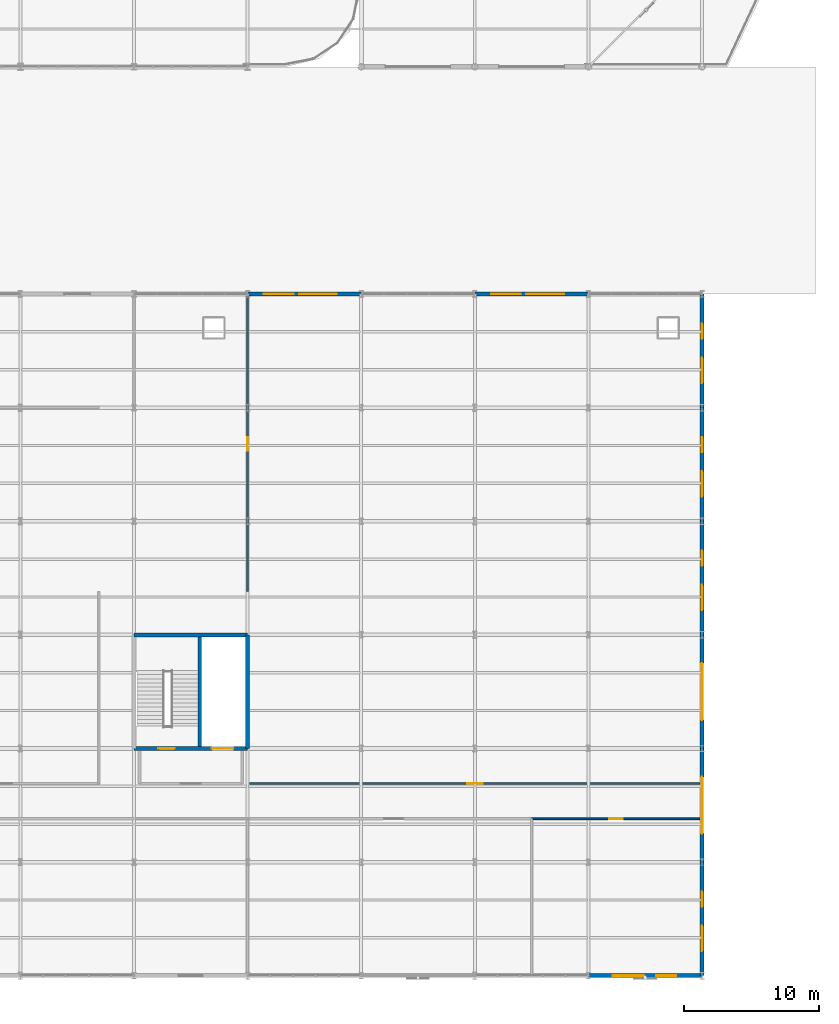
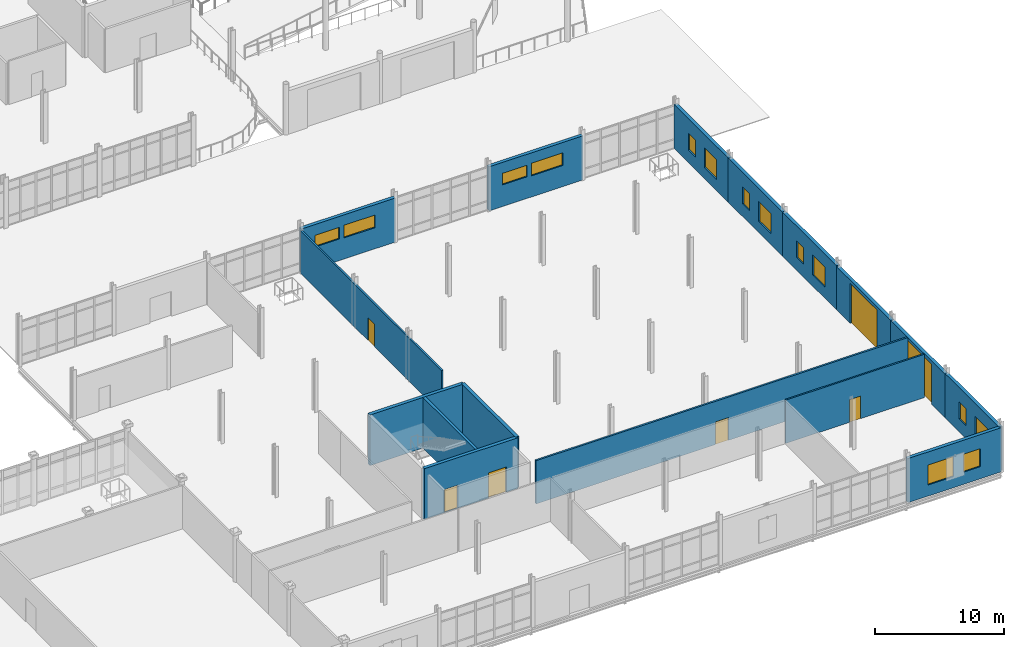
# One storey, part 129 of 145: 16 walls, 14 windows, 7 doors, 21 openings.
"""IFC4 building model written with IfcOpenShell, lengths in metres."""

from ifc_helpers import new_model, si_unit, direction, frame, frame_2d, origin, place, context, subcontext, project, spatial, rectangle, extrude, material, layer, layer_set, type_object, element, fill, save


model = new_model("IFC4")

# Units and contexts
model_context = context("Model", 3, precision=1e-05, world=origin(), true_north=direction((0.0, 1.0)))
body_context = subcontext(model_context, "Body", "Model", "MODEL_VIEW")
ifc_project = project(units=[si_unit("LENGTHUNIT", "METRE"), si_unit("AREAUNIT", "SQUARE_METRE"), si_unit("VOLUMEUNIT", "CUBIC_METRE"), si_unit("PLANEANGLEUNIT", "RADIAN"), si_unit("MASSUNIT", "GRAM", prefix="KILO")], contexts=[model_context])

# Site, building, storey
site_placement = place(None, origin())
site = spatial("IfcSite", under=ifc_project, at=site_placement, CompositionType="ELEMENT")
building_placement = place(site_placement, origin())
building = spatial("IfcBuilding", under=site, at=building_placement, Name="Qalvenar Corner Mobility Hub", CompositionType="ELEMENT")
storey_placement = place(building_placement, origin())
storey = spatial("IfcBuildingStorey", under=building, at=storey_placement, Name="L00", CompositionType="ELEMENT", Elevation=0.0)

# Wall
ifc_material_1 = material(Name="Concrete C40/50", Category="concrete")
ifc_layer_1 = layer(ifc_material_1, 0.25)
ifc_layer_set_1 = layer_set([ifc_layer_1], Name="Concrete C40/50")
wall_type_1 = type_object("IfcWallType", Name="WL-CORE250", PredefinedType="SHEAR", material=ifc_layer_set_1)
wall_1_placement = place(storey_placement, frame((130.85009765625, 16.949951171875, 0.0), z_axis=(0.0, 0.0, 1.0), x_axis=(0.0, 1.0, 0.0)))
element("IfcWall", 1, at=wall_1_placement, inside=storey, type_object=wall_type_1, Name="Core Divider Wall C6-L00", PredefinedType="SHEAR", context=body_context, shape_type="SweptSolid", body=[
    extrude(rectangle(XDim=8.10009765625, YDim=0.25, at=frame_2d((4.050048828125, 0.0))), origin(), (0.0, 0.0, 1.0), 4.800048828125),
])

# Wall, openings, doors
ifc_layer_2 = layer(ifc_material_1, 0.300048828125)
ifc_layer_set_2 = layer_set([ifc_layer_2], Name="Concrete C40/50")
wall_type_2 = type_object("IfcWallType", Name="WL-CORE300", PredefinedType="SHEAR", material=ifc_layer_set_2)
wall_2_placement = place(storey_placement, frame((126.0, 16.800048828125, 0.0), z_axis=(0.0, 0.0, 1.0), x_axis=(1.0, 0.0, 0.0)))
wall_2 = element("IfcWall", 2, at=wall_2_placement, inside=storey, type_object=wall_type_2, Name="Core Shear Wall C6-L00-S", PredefinedType="SHEAR", context=body_context, shape_type="SweptSolid", body=[
    extrude(rectangle(XDim=8.39990234375, YDim=0.300048828125, at=frame_2d((4.199951171875, 0.0))), origin(), (0.0, 0.0, 1.0), 4.800048828125),
])
opening_1_placement = place(wall_2_placement, frame((1.800048828125, 0.0, 0.0)))
opening_1 = element("IfcOpeningElement", 3, at=opening_1_placement, cuts=wall_2, Name="Opening DR-084", PredefinedType="OPENING", context=body_context, shape_type="SweptSolid", body=[
    extrude(rectangle(XDim=1.199951171875, YDim=2.199951171875, at=frame_2d((0.60009765625, 1.10009765625))), frame((0.0, 0.16015625, 0.0), z_axis=(0.0, -1.0, 0.0), x_axis=(1.0, 0.0, 0.0)), (0.0, 0.0, 1.0), 0.320068359375),
])
opening_2_placement = place(wall_2_placement, frame((5.75, 0.0, 0.0)))
opening_2 = element("IfcOpeningElement", 4, at=opening_2_placement, cuts=wall_2, Name="Opening DR-085", PredefinedType="OPENING", context=body_context, shape_type="SweptSolid", body=[
    extrude(rectangle(XDim=1.60009765625, YDim=2.39990234375, at=frame_2d((0.800048828125, 1.199951171875))), frame((0.0, 0.16015625, 0.0), z_axis=(0.0, -1.0, 0.0), x_axis=(1.0, 0.0, 0.0)), (0.0, 0.0, 1.0), 0.320068359375),
])
ifc_material_2 = material(Name="Stainless Steel Goods Lift Landing Door", Category="steel")
door_type_1 = type_object("IfcDoorType", Name="DR-LIFT-160", OperationType="SLIDING_TO_LEFT", PredefinedType="DOOR", material=ifc_material_2)
door_1_placement = place(opening_2_placement, origin())
door_1 = element("IfcDoor", 5, at=door_1_placement, inside=storey, type_object=door_type_1, Name="DR-085 Lift Landing Door LG2-L00", OperationType="SLIDING_TO_LEFT", OverallHeight=2.39990234375, OverallWidth=1.60009765625, PredefinedType="DOOR", context=body_context, shape_type="SweptSolid", body=[
    extrude(rectangle(XDim=1.60009765625, YDim=2.39990234375, at=frame_2d((0.800048828125, 1.199951171875))), frame((0.0, 0.02490234375, 0.0), z_axis=(0.0, -1.0, 0.0), x_axis=(1.0, 0.0, 0.0)), (0.0, 0.0, 1.0), 0.050048828125),
])
fill(opening_2, door_1)
ifc_material_3 = material(Name="Fire-Rated Steel Stair Door FD90", Category="steel")
door_type_2 = type_object("IfcDoorType", Name="DR-STAIR-120", OperationType="NOTDEFINED", PredefinedType="DOOR", material=ifc_material_3)
door_2_placement = place(opening_1_placement, origin())
door_2 = element("IfcDoor", 6, at=door_2_placement, inside=storey, type_object=door_type_2, Name="DR-084 Stair Fire Door ST6-L00", OperationType="SINGLE_SWING_RIGHT", OverallHeight=2.199951171875, OverallWidth=1.199951171875, PredefinedType="DOOR", context=body_context, shape_type="SweptSolid", body=[
    extrude(rectangle(XDim=1.199951171875, YDim=2.199951171875, at=frame_2d((0.60009765625, 1.10009765625))), frame((0.0, 0.02490234375, 0.0), z_axis=(0.0, -1.0, 0.0), x_axis=(1.0, 0.0, 0.0)), (0.0, 0.0, 1.0), 0.050048828125),
])
fill(opening_1, door_2)

# Walls
for number, where, z_axis, x_axis, name in (
    (7, (134.39990234375, 16.800048828125, 0.0), (0.0, 0.0, 1.0), (0.0, 1.0, 0.0), "Core Shear Wall C6-L00-E"),
    (8, (134.39990234375, 25.199951171875, 0.0), (0.0, 0.0, 1.0), (-1.0, 0.0, 0.0), "Core Shear Wall C6-L00-N"),
):
    element("IfcWall", number, at=place(storey_placement, frame(where, z_axis=z_axis, x_axis=x_axis)), inside=storey, type_object=wall_type_2, Name=name, PredefinedType="SHEAR", context=body_context, shape_type="SweptSolid", body=[
        extrude(rectangle(XDim=8.39990234375, YDim=0.300048828125, at=frame_2d((4.199951171875, 0.0))), origin(), (0.0, 0.0, 1.0), 4.800048828125),
    ])

# Wall, openings, windows
ifc_material_4 = material(Name="Lahori Fired Clay Brick Masonry", Category="masonry")
ifc_layer_3 = layer(ifc_material_4, 0.300048828125)
ifc_layer_set_3 = layer_set([ifc_layer_3], Name="Lahori Fired Clay Brick Masonry")
wall_type_3 = type_object("IfcWallType", Name="WL-EXT-BRK300", PredefinedType="STANDARD", material=ifc_layer_set_3)
wall_3_placement = place(storey_placement, frame((159.60009765625, 0.0, 0.0), z_axis=(0.0, 0.0, 1.0), x_axis=(1.0, 0.0, 0.0)))
wall_3 = element("IfcWall", 9, at=wall_3_placement, inside=storey, type_object=wall_type_3, Name="Exterior Facade Wall EW-V6-L00-S6", PredefinedType="STANDARD", context=body_context, shape_type="SweptSolid", body=[
    extrude(rectangle(XDim=8.39990234375, YDim=0.300048828125, at=frame_2d((4.199951171875, 0.0))), origin(), (0.0, 0.0, 1.0), 4.179931640625),
])
opening_3_placement = place(wall_3_placement, frame((1.800048828125, 0.0, 1.050048828125)))
opening_3 = element("IfcOpeningElement", 10, at=opening_3_placement, cuts=wall_3, Name="Opening W-16", PredefinedType="OPENING", context=body_context, shape_type="SweptSolid", body=[
    extrude(rectangle(XDim=2.300048828125, YDim=1.89990234375, at=frame_2d((1.14990234375, 0.949951171875))), frame((0.0, 0.16015625, 0.0), z_axis=(0.0, -1.0, 0.0), x_axis=(1.0, 0.0, 0.0)), (0.0, 0.0, 1.0), 0.320068359375),
])
opening_4_placement = place(wall_3_placement, frame((5.0, 0.0, 1.14990234375)))
opening_4 = element("IfcOpeningElement", 11, at=opening_4_placement, cuts=wall_3, Name="Opening W-18", PredefinedType="OPENING", context=body_context, shape_type="SweptSolid", body=[
    extrude(rectangle(XDim=1.5, YDim=1.699951171875, at=frame_2d((0.75, 0.85009765625))), frame((0.0, 0.16015625, 0.0), z_axis=(0.0, -1.0, 0.0), x_axis=(1.0, 0.0, 0.0)), (0.0, 0.0, 1.0), 0.320068359375),
])
ifc_material_5 = material(Name="Solar-Control Double-Glazed Bronze Window", Category="glass")
window_type_1 = type_object("IfcWindowType", Name="WN-WKS-150X170", PartitioningType="DOUBLE_PANEL_VERTICAL", PredefinedType="WINDOW", material=ifc_material_5)
window_1_placement = place(opening_4_placement, origin())
window_1 = element("IfcWindow", 12, at=window_1_placement, inside=storey, type_object=window_type_1, Name="Facade Window EW-V6-L00-S6-W2", OverallHeight=1.699951171875, OverallWidth=1.5, PartitioningType="SINGLE_PANEL", PredefinedType="WINDOW", context=body_context, shape_type="SweptSolid", body=[
    extrude(rectangle(XDim=1.5, YDim=1.699951171875, at=frame_2d((0.75, 0.85009765625))), frame((0.0, 0.030029296875, 0.0), z_axis=(0.0, -1.0, 0.0), x_axis=(1.0, 0.0, 0.0)), (0.0, 0.0, 1.0), 0.06005859375),
])
fill(opening_4, window_1)
window_type_2 = type_object("IfcWindowType", Name="WN-WKS-230X190", PartitioningType="DOUBLE_PANEL_HORIZONTAL", PredefinedType="WINDOW", material=ifc_material_5)
window_2_placement = place(opening_3_placement, origin())
window_2 = element("IfcWindow", 13, at=window_2_placement, inside=storey, type_object=window_type_2, Name="Facade Window EW-V6-L00-S6-W1", OverallHeight=1.89990234375, OverallWidth=2.300048828125, PartitioningType="SINGLE_PANEL", PredefinedType="WINDOW", context=body_context, shape_type="SweptSolid", body=[
    extrude(rectangle(XDim=2.300048828125, YDim=1.89990234375, at=frame_2d((1.14990234375, 0.949951171875))), frame((0.0, 0.030029296875, 0.0), z_axis=(0.0, -1.0, 0.0), x_axis=(1.0, 0.0, 0.0)), (0.0, 0.0, 1.0), 0.06005859375),
])
fill(opening_3, window_2)

wall_4_placement = place(storey_placement, frame((168.0, 0.0, 0.0), z_axis=(0.0, 0.0, 1.0), x_axis=(0.0, 1.0, 0.0)))
wall_4 = element("IfcWall", 14, at=wall_4_placement, inside=storey, type_object=wall_type_3, Name="Exterior Facade Wall EW-V6-L00-E0", PredefinedType="STANDARD", context=body_context, shape_type="SweptSolid", body=[
    extrude(rectangle(XDim=8.39990234375, YDim=0.300048828125, at=frame_2d((4.199951171875, 0.0))), origin(), (0.0, 0.0, 1.0), 4.179931640625),
])
opening_5_placement = place(wall_4_placement, frame((1.800048828125, 0.0, 1.050048828125)))
opening_5 = element("IfcOpeningElement", 15, at=opening_5_placement, cuts=wall_4, Name="Opening W-17", PredefinedType="OPENING", context=body_context, shape_type="SweptSolid", body=[
    extrude(rectangle(XDim=1.89990234375, YDim=1.89990234375, at=frame_2d((0.949951171875, 0.949951171875))), frame((0.0, 0.16015625, 0.0), z_axis=(0.0, -1.0, 0.0), x_axis=(1.0, 0.0, 0.0)), (0.0, 0.0, 1.0), 0.320068359375),
])
opening_6_placement = place(wall_4_placement, frame((5.10009765625, 0.0, 1.199951171875)))
opening_6 = element("IfcOpeningElement", 16, at=opening_6_placement, cuts=wall_4, Name="Opening W-19", PredefinedType="OPENING", context=body_context, shape_type="SweptSolid", body=[
    extrude(rectangle(XDim=1.10009765625, YDim=1.60009765625, at=frame_2d((0.550048828125, 0.800048828125))), frame((0.0, 0.16015625, 0.0), z_axis=(0.0, -1.0, 0.0), x_axis=(1.0, 0.0, 0.0)), (0.0, 0.0, 1.0), 0.320068359375),
])
window_type_3 = type_object("IfcWindowType", Name="WN-WKS-110X160", PartitioningType="SINGLE_PANEL", PredefinedType="WINDOW", material=ifc_material_5)
window_3_placement = place(opening_6_placement, origin())
window_3 = element("IfcWindow", 17, at=window_3_placement, inside=storey, type_object=window_type_3, Name="Facade Window EW-V6-L00-E0-W2", OverallHeight=1.60009765625, OverallWidth=1.10009765625, PartitioningType="SINGLE_PANEL", PredefinedType="WINDOW", context=body_context, shape_type="SweptSolid", body=[
    extrude(rectangle(XDim=1.10009765625, YDim=1.60009765625, at=frame_2d((0.550048828125, 0.800048828125))), frame((0.0, 0.030029296875, 0.0), z_axis=(0.0, -1.0, 0.0), x_axis=(1.0, 0.0, 0.0)), (0.0, 0.0, 1.0), 0.06005859375),
])
fill(opening_6, window_3)
window_type_4 = type_object("IfcWindowType", Name="WN-WKS-190X190", PartitioningType="DOUBLE_PANEL_VERTICAL", PredefinedType="WINDOW", material=ifc_material_5)
window_4_placement = place(opening_5_placement, origin())
window_4 = element("IfcWindow", 18, at=window_4_placement, inside=storey, type_object=window_type_4, Name="Facade Window EW-V6-L00-E0-W1", OverallHeight=1.89990234375, OverallWidth=1.89990234375, PartitioningType="SINGLE_PANEL", PredefinedType="WINDOW", context=body_context, shape_type="SweptSolid", body=[
    extrude(rectangle(XDim=1.89990234375, YDim=1.89990234375, at=frame_2d((0.949951171875, 0.949951171875))), frame((0.0, 0.030029296875, 0.0), z_axis=(0.0, -1.0, 0.0), x_axis=(1.0, 0.0, 0.0)), (0.0, 0.0, 1.0), 0.06005859375),
])
fill(opening_5, window_4)

# Wall, opening, door
wall_5_placement = place(storey_placement, frame((168.0, 8.39990234375, 0.0), z_axis=(0.0, 0.0, 1.0), x_axis=(0.0, 1.0, 0.0)))
wall_5 = element("IfcWall", 19, at=wall_5_placement, inside=storey, type_object=wall_type_3, Name="Exterior Facade Wall EW-V6-L00-E1", PredefinedType="STANDARD", context=body_context, shape_type="SweptSolid", body=[
    extrude(rectangle(XDim=8.400146484375, YDim=0.300048828125, at=frame_2d((4.2001953125, 0.0))), origin(), (0.0, 0.0, 1.0), 4.10009765625),
])
opening_7_placement = place(wall_5_placement, frame((2.10009765625, 0.0, 0.0)))
opening_7 = element("IfcOpeningElement", 20, at=opening_7_placement, cuts=wall_5, Name="Opening DR-062", PredefinedType="OPENING", context=body_context, shape_type="SweptSolid", body=[
    extrude(rectangle(XDim=4.199951171875, YDim=3.800048828125, at=frame_2d((2.10009765625, 1.89990234375))), frame((0.0, 0.16015625, 0.0), z_axis=(0.0, -1.0, 0.0), x_axis=(1.0, 0.0, 0.0)), (0.0, 0.0, 1.0), 0.320068359375),
])
ifc_material_6 = material(Name="Insulated Steel EV Workshop Roller Gate", Category="steel")
door_type_3 = type_object("IfcDoorType", Name="GT-WKS-420", OperationType="ROLLINGUP", PredefinedType="GATE", material=ifc_material_6)
door_3_placement = place(opening_7_placement, origin())
door_3 = element("IfcDoor", 21, at=door_3_placement, inside=storey, type_object=door_type_3, Name="DR-062 EV Workshop Roller Bay Gate VG2-1", OperationType="ROLLINGUP", OverallHeight=3.800048828125, OverallWidth=4.199951171875, PredefinedType="GATE", context=body_context, shape_type="SweptSolid", body=[
    extrude(rectangle(XDim=4.199951171875, YDim=3.800048828125, at=frame_2d((2.10009765625, 1.89990234375))), frame((0.0, 0.02490234375, 0.0), z_axis=(0.0, -1.0, 0.0), x_axis=(1.0, 0.0, 0.0)), (0.0, 0.0, 1.0), 0.050048828125),
])
fill(opening_7, door_3)

wall_6_placement = place(storey_placement, frame((168.0, 16.800048828125, 0.0), z_axis=(0.0, 0.0, 1.0), x_axis=(0.0, 1.0, 0.0)))
wall_6 = element("IfcWall", 22, at=wall_6_placement, inside=storey, type_object=wall_type_3, Name="Exterior Facade Wall EW-V6-L00-E2", PredefinedType="STANDARD", context=body_context, shape_type="SweptSolid", body=[
    extrude(rectangle(XDim=8.39990234375, YDim=0.300048828125, at=frame_2d((4.199951171875, 0.0))), origin(), (0.0, 0.0, 1.0), 4.10009765625),
])
opening_8_placement = place(wall_6_placement, frame((2.10009765625, 0.0, 0.0)))
opening_8 = element("IfcOpeningElement", 23, at=opening_8_placement, cuts=wall_6, Name="Opening DR-063", PredefinedType="OPENING", context=body_context, shape_type="SweptSolid", body=[
    extrude(rectangle(XDim=4.199951171875, YDim=3.800048828125, at=frame_2d((2.10009765625, 1.89990234375))), frame((0.0, 0.16015625, 0.0), z_axis=(0.0, -1.0, 0.0), x_axis=(1.0, 0.0, 0.0)), (0.0, 0.0, 1.0), 0.320068359375),
])
door_4_placement = place(opening_8_placement, origin())
door_4 = element("IfcDoor", 24, at=door_4_placement, inside=storey, type_object=door_type_3, Name="DR-063 EV Workshop Roller Bay Gate VG2-2", OperationType="ROLLINGUP", OverallHeight=3.800048828125, OverallWidth=4.199951171875, PredefinedType="GATE", context=body_context, shape_type="SweptSolid", body=[
    extrude(rectangle(XDim=4.199951171875, YDim=3.800048828125, at=frame_2d((2.10009765625, 1.89990234375))), frame((0.0, 0.02490234375, 0.0), z_axis=(0.0, -1.0, 0.0), x_axis=(1.0, 0.0, 0.0)), (0.0, 0.0, 1.0), 0.050048828125),
])
fill(opening_8, door_4)

# Wall, openings, windows
wall_7_placement = place(storey_placement, frame((168.0, 25.199951171875, 0.0), z_axis=(0.0, 0.0, 1.0), x_axis=(0.0, 1.0, 0.0)))
wall_7 = element("IfcWall", 25, at=wall_7_placement, inside=storey, type_object=wall_type_3, Name="Exterior Facade Wall EW-V6-L00-E3", PredefinedType="STANDARD", context=body_context, shape_type="SweptSolid", body=[
    extrude(rectangle(XDim=8.400146484375, YDim=0.300048828125, at=frame_2d((4.2001953125, 0.0))), origin(), (0.0, 0.0, 1.0), 4.179931640625),
])
opening_9_placement = place(wall_7_placement, frame((1.800048828125, 0.0, 1.050048828125)))
opening_9 = element("IfcOpeningElement", 26, at=opening_9_placement, cuts=wall_7, Name="Opening W-17", PredefinedType="OPENING", context=body_context, shape_type="SweptSolid", body=[
    extrude(rectangle(XDim=1.89990234375, YDim=1.89990234375, at=frame_2d((0.949951171875, 0.949951171875))), frame((0.0, 0.16015625, 0.0), z_axis=(0.0, -1.0, 0.0), x_axis=(1.0, 0.0, 0.0)), (0.0, 0.0, 1.0), 0.320068359375),
])
opening_10_placement = place(wall_7_placement, frame((5.10009765625, 0.0, 1.199951171875)))
opening_10 = element("IfcOpeningElement", 27, at=opening_10_placement, cuts=wall_7, Name="Opening W-19", PredefinedType="OPENING", context=body_context, shape_type="SweptSolid", body=[
    extrude(rectangle(XDim=1.10009765625, YDim=1.60009765625, at=frame_2d((0.550048828125, 0.800048828125))), frame((0.0, 0.16015625, 0.0), z_axis=(0.0, -1.0, 0.0), x_axis=(1.0, 0.0, 0.0)), (0.0, 0.0, 1.0), 0.320068359375),
])
window_5_placement = place(opening_10_placement, origin())
window_5 = element("IfcWindow", 28, at=window_5_placement, inside=storey, type_object=window_type_3, Name="Facade Window EW-V6-L00-E3-W2", OverallHeight=1.60009765625, OverallWidth=1.10009765625, PartitioningType="SINGLE_PANEL", PredefinedType="WINDOW", context=body_context, shape_type="SweptSolid", body=[
    extrude(rectangle(XDim=1.10009765625, YDim=1.60009765625, at=frame_2d((0.550048828125, 0.800048828125))), frame((0.0, 0.030029296875, 0.0), z_axis=(0.0, -1.0, 0.0), x_axis=(1.0, 0.0, 0.0)), (0.0, 0.0, 1.0), 0.06005859375),
])
fill(opening_10, window_5)
window_6_placement = place(opening_9_placement, origin())
window_6 = element("IfcWindow", 29, at=window_6_placement, inside=storey, type_object=window_type_4, Name="Facade Window EW-V6-L00-E3-W1", OverallHeight=1.89990234375, OverallWidth=1.89990234375, PartitioningType="SINGLE_PANEL", PredefinedType="WINDOW", context=body_context, shape_type="SweptSolid", body=[
    extrude(rectangle(XDim=1.89990234375, YDim=1.89990234375, at=frame_2d((0.949951171875, 0.949951171875))), frame((0.0, 0.030029296875, 0.0), z_axis=(0.0, -1.0, 0.0), x_axis=(1.0, 0.0, 0.0)), (0.0, 0.0, 1.0), 0.06005859375),
])
fill(opening_9, window_6)

wall_8_placement = place(storey_placement, frame((168.0, 33.60009765625, 0.0), z_axis=(0.0, 0.0, 1.0), x_axis=(0.0, 1.0, 0.0)))
wall_8 = element("IfcWall", 30, at=wall_8_placement, inside=storey, type_object=wall_type_3, Name="Exterior Facade Wall EW-V6-L00-E4", PredefinedType="STANDARD", context=body_context, shape_type="SweptSolid", body=[
    extrude(rectangle(XDim=8.39990234375, YDim=0.300048828125, at=frame_2d((4.199951171875, 0.0))), origin(), (0.0, 0.0, 1.0), 4.179931640625),
])
opening_11_placement = place(wall_8_placement, frame((1.800048828125, 0.0, 1.050048828125)))
opening_11 = element("IfcOpeningElement", 31, at=opening_11_placement, cuts=wall_8, Name="Opening W-17", PredefinedType="OPENING", context=body_context, shape_type="SweptSolid", body=[
    extrude(rectangle(XDim=1.89990234375, YDim=1.89990234375, at=frame_2d((0.949951171875, 0.949951171875))), frame((0.0, 0.16015625, 0.0), z_axis=(0.0, -1.0, 0.0), x_axis=(1.0, 0.0, 0.0)), (0.0, 0.0, 1.0), 0.320068359375),
])
opening_12_placement = place(wall_8_placement, frame((5.10009765625, 0.0, 1.199951171875)))
opening_12 = element("IfcOpeningElement", 32, at=opening_12_placement, cuts=wall_8, Name="Opening W-19", PredefinedType="OPENING", context=body_context, shape_type="SweptSolid", body=[
    extrude(rectangle(XDim=1.10009765625, YDim=1.60009765625, at=frame_2d((0.550048828125, 0.800048828125))), frame((0.0, 0.16015625, 0.0), z_axis=(0.0, -1.0, 0.0), x_axis=(1.0, 0.0, 0.0)), (0.0, 0.0, 1.0), 0.320068359375),
])
window_7_placement = place(opening_12_placement, origin())
window_7 = element("IfcWindow", 33, at=window_7_placement, inside=storey, type_object=window_type_3, Name="Facade Window EW-V6-L00-E4-W2", OverallHeight=1.60009765625, OverallWidth=1.10009765625, PartitioningType="SINGLE_PANEL", PredefinedType="WINDOW", context=body_context, shape_type="SweptSolid", body=[
    extrude(rectangle(XDim=1.10009765625, YDim=1.60009765625, at=frame_2d((0.550048828125, 0.800048828125))), frame((0.0, 0.030029296875, 0.0), z_axis=(0.0, -1.0, 0.0), x_axis=(1.0, 0.0, 0.0)), (0.0, 0.0, 1.0), 0.06005859375),
])
fill(opening_12, window_7)
window_8_placement = place(opening_11_placement, origin())
window_8 = element("IfcWindow", 34, at=window_8_placement, inside=storey, type_object=window_type_4, Name="Facade Window EW-V6-L00-E4-W1", OverallHeight=1.89990234375, OverallWidth=1.89990234375, PartitioningType="SINGLE_PANEL", PredefinedType="WINDOW", context=body_context, shape_type="SweptSolid", body=[
    extrude(rectangle(XDim=1.89990234375, YDim=1.89990234375, at=frame_2d((0.949951171875, 0.949951171875))), frame((0.0, 0.030029296875, 0.0), z_axis=(0.0, -1.0, 0.0), x_axis=(1.0, 0.0, 0.0)), (0.0, 0.0, 1.0), 0.06005859375),
])
fill(opening_11, window_8)

wall_9_placement = place(storey_placement, frame((168.0, 42.0, 0.0), z_axis=(0.0, 0.0, 1.0), x_axis=(0.0, 1.0, 0.0)))
wall_9 = element("IfcWall", 35, at=wall_9_placement, inside=storey, type_object=wall_type_3, Name="Exterior Facade Wall EW-V6-L00-E5", PredefinedType="STANDARD", context=body_context, shape_type="SweptSolid", body=[
    extrude(rectangle(XDim=8.39990234375, YDim=0.300048828125, at=frame_2d((4.199951171875, 0.0))), origin(), (0.0, 0.0, 1.0), 4.179931640625),
])
opening_13_placement = place(wall_9_placement, frame((1.800048828125, 0.0, 1.050048828125)))
opening_13 = element("IfcOpeningElement", 36, at=opening_13_placement, cuts=wall_9, Name="Opening W-17", PredefinedType="OPENING", context=body_context, shape_type="SweptSolid", body=[
    extrude(rectangle(XDim=1.89990234375, YDim=1.89990234375, at=frame_2d((0.949951171875, 0.949951171875))), frame((0.0, 0.16015625, 0.0), z_axis=(0.0, -1.0, 0.0), x_axis=(1.0, 0.0, 0.0)), (0.0, 0.0, 1.0), 0.320068359375),
])
opening_14_placement = place(wall_9_placement, frame((5.10009765625, 0.0, 1.199951171875)))
opening_14 = element("IfcOpeningElement", 37, at=opening_14_placement, cuts=wall_9, Name="Opening W-19", PredefinedType="OPENING", context=body_context, shape_type="SweptSolid", body=[
    extrude(rectangle(XDim=1.10009765625, YDim=1.60009765625, at=frame_2d((0.550048828125, 0.800048828125))), frame((0.0, 0.16015625, 0.0), z_axis=(0.0, -1.0, 0.0), x_axis=(1.0, 0.0, 0.0)), (0.0, 0.0, 1.0), 0.320068359375),
])
window_9_placement = place(opening_14_placement, origin())
window_9 = element("IfcWindow", 38, at=window_9_placement, inside=storey, type_object=window_type_3, Name="Facade Window EW-V6-L00-E5-W2", OverallHeight=1.60009765625, OverallWidth=1.10009765625, PartitioningType="SINGLE_PANEL", PredefinedType="WINDOW", context=body_context, shape_type="SweptSolid", body=[
    extrude(rectangle(XDim=1.10009765625, YDim=1.60009765625, at=frame_2d((0.550048828125, 0.800048828125))), frame((0.0, 0.030029296875, 0.0), z_axis=(0.0, -1.0, 0.0), x_axis=(1.0, 0.0, 0.0)), (0.0, 0.0, 1.0), 0.06005859375),
])
fill(opening_14, window_9)
window_10_placement = place(opening_13_placement, origin())
window_10 = element("IfcWindow", 39, at=window_10_placement, inside=storey, type_object=window_type_4, Name="Facade Window EW-V6-L00-E5-W1", OverallHeight=1.89990234375, OverallWidth=1.89990234375, PartitioningType="SINGLE_PANEL", PredefinedType="WINDOW", context=body_context, shape_type="SweptSolid", body=[
    extrude(rectangle(XDim=1.89990234375, YDim=1.89990234375, at=frame_2d((0.949951171875, 0.949951171875))), frame((0.0, 0.030029296875, 0.0), z_axis=(0.0, -1.0, 0.0), x_axis=(1.0, 0.0, 0.0)), (0.0, 0.0, 1.0), 0.06005859375),
])
fill(opening_13, window_10)

wall_10_placement = place(storey_placement, frame((142.800048828125, 50.39990234375, 0.0), z_axis=(0.0, 0.0, 1.0), x_axis=(-1.0, 0.0, 0.0)))
wall_10 = element("IfcWall", 40, at=wall_10_placement, inside=storey, type_object=wall_type_3, Name="Exterior Facade Wall EW-V6-L00-N3", PredefinedType="STANDARD", context=body_context, shape_type="SweptSolid", body=[
    extrude(rectangle(XDim=8.400146484375, YDim=0.300048828125, at=frame_2d((4.2001953125, 0.0))), origin(), (0.0, 0.0, 1.0), 4.179931640625),
])
opening_15_placement = place(wall_10_placement, frame((1.800048828125, 0.0, 2.0)))
opening_15 = element("IfcOpeningElement", 41, at=opening_15_placement, cuts=wall_10, Name="Opening W-20", PredefinedType="OPENING", context=body_context, shape_type="SweptSolid", body=[
    extrude(rectangle(XDim=2.800048828125, YDim=1.199951171875, at=frame_2d((1.39990234375, 0.60009765625))), frame((0.0, 0.16015625, 0.0), z_axis=(0.0, -1.0, 0.0), x_axis=(1.0, 0.0, 0.0)), (0.0, 0.0, 1.0), 0.320068359375),
])
opening_16_placement = place(wall_10_placement, frame((5.0, 0.0, 2.050048828125)))
opening_16 = element("IfcOpeningElement", 42, at=opening_16_placement, cuts=wall_10, Name="Opening W-21", PredefinedType="OPENING", context=body_context, shape_type="SweptSolid", body=[
    extrude(rectangle(XDim=2.199951171875, YDim=1.10009765625, at=frame_2d((1.10009765625, 0.550048828125))), frame((0.0, 0.16015625, 0.0), z_axis=(0.0, -1.0, 0.0), x_axis=(1.0, 0.0, 0.0)), (0.0, 0.0, 1.0), 0.320068359375),
])
window_type_5 = type_object("IfcWindowType", Name="WN-CLR-220X110", PartitioningType="DOUBLE_PANEL_HORIZONTAL", PredefinedType="WINDOW", material=ifc_material_5)
window_11_placement = place(opening_16_placement, origin())
window_11 = element("IfcWindow", 43, at=window_11_placement, inside=storey, type_object=window_type_5, Name="Facade Window EW-V6-L00-N3-W2", OverallHeight=1.10009765625, OverallWidth=2.199951171875, PartitioningType="SINGLE_PANEL", PredefinedType="WINDOW", context=body_context, shape_type="SweptSolid", body=[
    extrude(rectangle(XDim=2.199951171875, YDim=1.10009765625, at=frame_2d((1.10009765625, 0.550048828125))), frame((0.0, 0.030029296875, 0.0), z_axis=(0.0, -1.0, 0.0), x_axis=(1.0, 0.0, 0.0)), (0.0, 0.0, 1.0), 0.06005859375),
])
fill(opening_16, window_11)
window_type_6 = type_object("IfcWindowType", Name="WN-CLR-280X120", PartitioningType="TRIPLE_PANEL_VERTICAL", PredefinedType="WINDOW", material=ifc_material_5)
window_12_placement = place(opening_15_placement, origin())
window_12 = element("IfcWindow", 44, at=window_12_placement, inside=storey, type_object=window_type_6, Name="Facade Window EW-V6-L00-N3-W1", OverallHeight=1.199951171875, OverallWidth=2.800048828125, PartitioningType="SINGLE_PANEL", PredefinedType="WINDOW", context=body_context, shape_type="SweptSolid", body=[
    extrude(rectangle(XDim=2.800048828125, YDim=1.199951171875, at=frame_2d((1.39990234375, 0.60009765625))), frame((0.0, 0.030029296875, 0.0), z_axis=(0.0, -1.0, 0.0), x_axis=(1.0, 0.0, 0.0)), (0.0, 0.0, 1.0), 0.06005859375),
])
fill(opening_15, window_12)

wall_11_placement = place(storey_placement, frame((159.60009765625, 50.39990234375, 0.0), z_axis=(0.0, 0.0, 1.0), x_axis=(-1.0, 0.0, 0.0)))
wall_11 = element("IfcWall", 45, at=wall_11_placement, inside=storey, type_object=wall_type_3, Name="Exterior Facade Wall EW-V6-L00-N5", PredefinedType="STANDARD", context=body_context, shape_type="SweptSolid", body=[
    extrude(rectangle(XDim=8.400146484375, YDim=0.300048828125, at=frame_2d((4.2001953125, 0.0))), origin(), (0.0, 0.0, 1.0), 4.179931640625),
])
opening_17_placement = place(wall_11_placement, frame((1.800048828125, 0.0, 2.0)))
opening_17 = element("IfcOpeningElement", 46, at=opening_17_placement, cuts=wall_11, Name="Opening W-20", PredefinedType="OPENING", context=body_context, shape_type="SweptSolid", body=[
    extrude(rectangle(XDim=2.800048828125, YDim=1.199951171875, at=frame_2d((1.39990234375, 0.60009765625))), frame((0.0, 0.16015625, 0.0), z_axis=(0.0, -1.0, 0.0), x_axis=(1.0, 0.0, 0.0)), (0.0, 0.0, 1.0), 0.320068359375),
])
opening_18_placement = place(wall_11_placement, frame((5.0, 0.0, 2.050048828125)))
opening_18 = element("IfcOpeningElement", 47, at=opening_18_placement, cuts=wall_11, Name="Opening W-21", PredefinedType="OPENING", context=body_context, shape_type="SweptSolid", body=[
    extrude(rectangle(XDim=2.199951171875, YDim=1.10009765625, at=frame_2d((1.10009765625, 0.550048828125))), frame((0.0, 0.16015625, 0.0), z_axis=(0.0, -1.0, 0.0), x_axis=(1.0, 0.0, 0.0)), (0.0, 0.0, 1.0), 0.320068359375),
])
window_13_placement = place(opening_18_placement, origin())
window_13 = element("IfcWindow", 48, at=window_13_placement, inside=storey, type_object=window_type_5, Name="Facade Window EW-V6-L00-N5-W2", OverallHeight=1.10009765625, OverallWidth=2.199951171875, PartitioningType="SINGLE_PANEL", PredefinedType="WINDOW", context=body_context, shape_type="SweptSolid", body=[
    extrude(rectangle(XDim=2.199951171875, YDim=1.10009765625, at=frame_2d((1.10009765625, 0.550048828125))), frame((0.0, 0.030029296875, 0.0), z_axis=(0.0, -1.0, 0.0), x_axis=(1.0, 0.0, 0.0)), (0.0, 0.0, 1.0), 0.06005859375),
])
fill(opening_18, window_13)
window_14_placement = place(opening_17_placement, origin())
window_14 = element("IfcWindow", 49, at=window_14_placement, inside=storey, type_object=window_type_6, Name="Facade Window EW-V6-L00-N5-W1", OverallHeight=1.199951171875, OverallWidth=2.800048828125, PartitioningType="SINGLE_PANEL", PredefinedType="WINDOW", context=body_context, shape_type="SweptSolid", body=[
    extrude(rectangle(XDim=2.800048828125, YDim=1.199951171875, at=frame_2d((1.39990234375, 0.60009765625))), frame((0.0, 0.030029296875, 0.0), z_axis=(0.0, -1.0, 0.0), x_axis=(1.0, 0.0, 0.0)), (0.0, 0.0, 1.0), 0.06005859375),
])
fill(opening_17, window_14)

# Wall, opening, door
ifc_material_7 = material(Name="Acoustic Gypsum Stud Partition", Category="masonry")
ifc_layer_4 = layer(ifc_material_7, 0.139892578125)
ifc_layer_set_4 = layer_set([ifc_layer_4], Name="Acoustic Gypsum Stud Partition")
wall_type_4 = type_object("IfcWallType", Name="WL-INT140", PredefinedType="PARTITIONING", material=ifc_layer_set_4)
wall_12_placement = place(storey_placement, frame((155.39990234375, 11.60009765625, 0.0), z_axis=(0.0, 0.0, 1.0), x_axis=(1.0, 0.0, 0.0)))
wall_12 = element("IfcWall", 50, at=wall_12_placement, inside=storey, type_object=wall_type_4, Name="Interior Partition PRT-L00-010", PredefinedType="PARTITIONING", context=body_context, shape_type="SweptSolid", body=[
    extrude(rectangle(XDim=12.445068359375, YDim=0.139892578125, at=frame_2d((6.22265625, 0.0))), origin(), (0.0, 0.0, 1.0), 4.10009765625),
])
opening_19_placement = place(wall_12_placement, frame((5.721923828125, 0.0, 0.0)))
opening_19 = element("IfcOpeningElement", 51, at=opening_19_placement, cuts=wall_12, Name="Opening DR-091", PredefinedType="OPENING", context=body_context, shape_type="SweptSolid", body=[
    extrude(rectangle(XDim=1.0, YDim=2.14990234375, at=frame_2d((0.5, 1.074951171875))), frame((0.0, 0.080078125, 0.0), z_axis=(0.0, -1.0, 0.0), x_axis=(1.0, 0.0, 0.0)), (0.0, 0.0, 1.0), 0.159912109375),
])
ifc_material_8 = material(Name="Hardwood Teak Office Door FD30", Category="wood")
door_type_4 = type_object("IfcDoorType", Name="DR-INT-OFF100", OperationType="NOTDEFINED", PredefinedType="DOOR", material=ifc_material_8)
door_5_placement = place(opening_19_placement, origin())
door_5 = element("IfcDoor", 52, at=door_5_placement, inside=storey, type_object=door_type_4, Name="DR-091 Workshop Goods Loading Bay Door", OperationType="SINGLE_SWING_LEFT", OverallHeight=2.14990234375, OverallWidth=1.0, PredefinedType="DOOR", context=body_context, shape_type="SweptSolid", body=[
    extrude(rectangle(XDim=1.0, YDim=2.14990234375, at=frame_2d((0.5, 1.074951171875))), frame((0.0, 0.02490234375, 0.0), z_axis=(0.0, -1.0, 0.0), x_axis=(1.0, 0.0, 0.0)), (0.0, 0.0, 1.0), 0.050048828125),
])
fill(opening_19, door_5)

ifc_material_9 = material(Name="Plastered Clay Brick Partition", Category="masonry")
ifc_layer_5 = layer(ifc_material_9, 0.159912109375)
ifc_layer_set_5 = layer_set([ifc_layer_5], Name="Plastered Clay Brick Partition")
wall_type_5 = type_object("IfcWallType", Name="WL-INT160", PredefinedType="PARTITIONING", material=ifc_layer_set_5)
wall_13_placement = place(storey_placement, frame((134.550048828125, 14.199951171875, 0.0), z_axis=(0.0, 0.0, 1.0), x_axis=(1.0, 0.0, 0.0)))
wall_13 = element("IfcWall", 53, at=wall_13_placement, inside=storey, type_object=wall_type_5, Name="Interior Partition PRT-L00-013", PredefinedType="PARTITIONING", context=body_context, shape_type="SweptSolid", body=[
    extrude(rectangle(XDim=33.294921875, YDim=0.159912109375, at=frame_2d((16.6474609375, 0.0))), origin(), (0.0, 0.0, 1.0), 4.10009765625),
])
opening_20_placement = place(wall_13_placement, frame((16.072021484375, 0.0, 0.0)))
opening_20 = element("IfcOpeningElement", 54, at=opening_20_placement, cuts=wall_13, Name="Opening DR-094", PredefinedType="OPENING", context=body_context, shape_type="SweptSolid", body=[
    extrude(rectangle(XDim=1.14990234375, YDim=2.14990234375, at=frame_2d((0.574951171875, 1.074951171875))), frame((0.0, 0.08984375, 0.0), z_axis=(0.0, -1.0, 0.0), x_axis=(1.0, 0.0, 0.0)), (0.0, 0.0, 1.0), 0.179931640625),
])
ifc_material_10 = material(Name="Steel Parts Store Door FD60", Category="steel")
door_type_5 = type_object("IfcDoorType", Name="DR-INT-STR115", OperationType="NOTDEFINED", PredefinedType="DOOR", material=ifc_material_10)
door_6_placement = place(opening_20_placement, origin())
door_6 = element("IfcDoor", 55, at=door_6_placement, inside=storey, type_object=door_type_5, Name="DR-094 Workshop Tool and Tire Store Door", OperationType="SINGLE_SWING_RIGHT", OverallHeight=2.14990234375, OverallWidth=1.14990234375, PredefinedType="DOOR", context=body_context, shape_type="SweptSolid", body=[
    extrude(rectangle(XDim=1.14990234375, YDim=2.14990234375, at=frame_2d((0.574951171875, 1.074951171875))), frame((0.0, 0.02490234375, 0.0), z_axis=(0.0, -1.0, 0.0), x_axis=(1.0, 0.0, 0.0)), (0.0, 0.0, 1.0), 0.050048828125),
])
fill(opening_20, door_6)

wall_14_placement = place(storey_placement, frame((134.39990234375, 28.39990234375, 0.0), z_axis=(0.0, 0.0, 1.0), x_axis=(0.0, 1.0, 0.0)))
wall_14 = element("IfcWall", 56, at=wall_14_placement, inside=storey, type_object=wall_type_5, Name="Interior Partition PRT-L00-063", PredefinedType="PARTITIONING", context=body_context, shape_type="SweptSolid", body=[
    extrude(rectangle(XDim=21.84521484375, YDim=0.159912109375, at=frame_2d((10.922607421875, 0.0))), origin(), (0.0, 0.0, 1.0), 4.050048828125),
])
opening_21_placement = place(wall_14_placement, frame((10.422119140625, 0.0, 0.0)))
opening_21 = element("IfcOpeningElement", 57, at=opening_21_placement, cuts=wall_14, Name="Opening DR-112", PredefinedType="OPENING", context=body_context, shape_type="SweptSolid", body=[
    extrude(rectangle(XDim=1.0, YDim=2.14990234375, at=frame_2d((0.5, 1.074951171875))), frame((0.0, 0.08984375, 0.0), z_axis=(0.0, -1.0, 0.0), x_axis=(1.0, 0.0, 0.0)), (0.0, 0.0, 1.0), 0.179931640625),
])
door_7_placement = place(opening_21_placement, origin())
door_7 = element("IfcDoor", 58, at=door_7_placement, inside=storey, type_object=door_type_4, Name="DR-112 Technician Locker and Equipment Room Door", OperationType="SINGLE_SWING_RIGHT", OverallHeight=2.14990234375, OverallWidth=1.0, PredefinedType="DOOR", context=body_context, shape_type="SweptSolid", body=[
    extrude(rectangle(XDim=1.0, YDim=2.14990234375, at=frame_2d((0.5, 1.074951171875))), frame((0.0, 0.02490234375, 0.0), z_axis=(0.0, -1.0, 0.0), x_axis=(1.0, 0.0, 0.0)), (0.0, 0.0, 1.0), 0.050048828125),
])
fill(opening_21, door_7)

save(model, "model.ifc")
